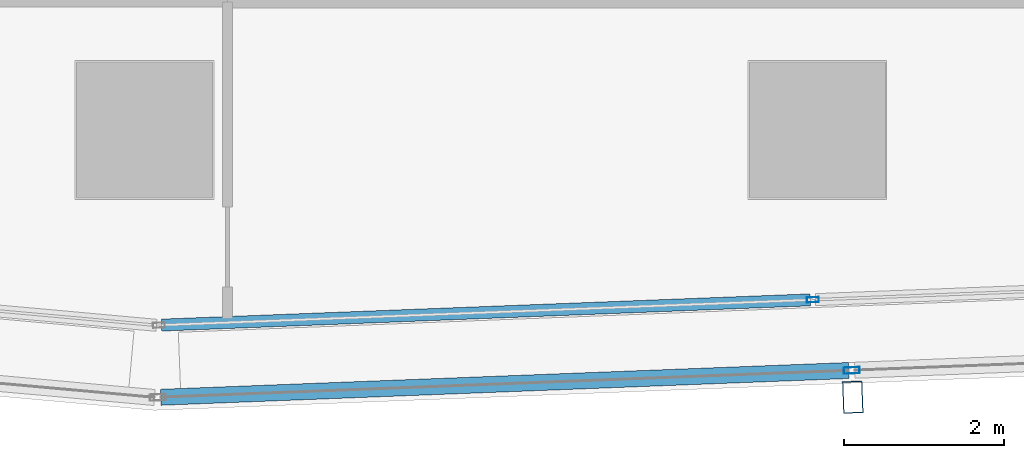
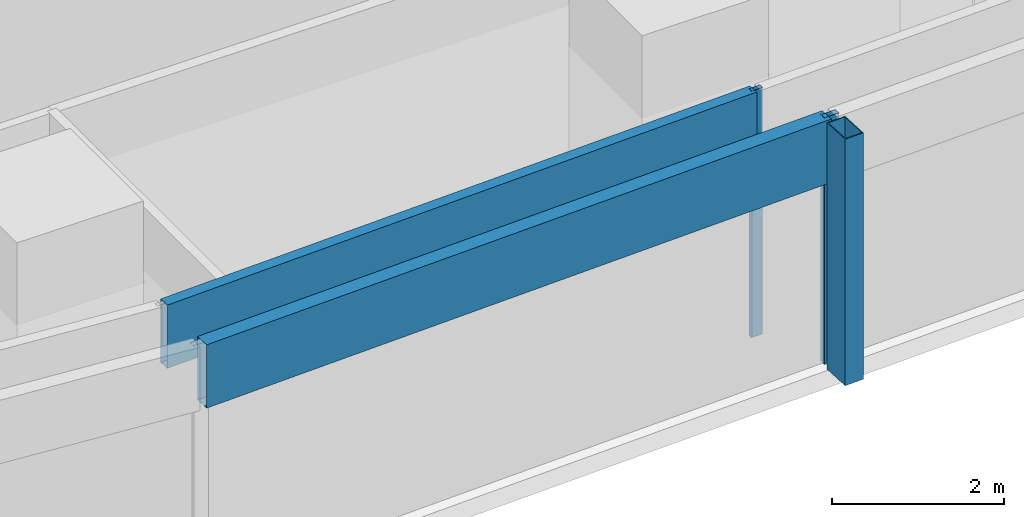
# One storey, part 6 of 40: 5 members, 2 elements without a shape of their own.
"""IFC4 building model written with IfcOpenShell, lengths in metres."""

from ifc_helpers import new_model, si_unit, direction, frame, origin, origin_2d, place, context, subcontext, project, spatial, hollow_rectangle, extrude, material, material_profile, profile_set, type_object, element, aggregate, save


model = new_model("IFC4")

# Units and contexts
model_context = context("Model", 3, precision=1e-05, world=origin(), true_north=direction((0.0, 1.0)))
body_context = subcontext(model_context, "Body", "Model", "MODEL_VIEW")
ifc_project = project(units=[si_unit("LENGTHUNIT", "METRE"), si_unit("AREAUNIT", "SQUARE_METRE"), si_unit("VOLUMEUNIT", "CUBIC_METRE"), si_unit("PLANEANGLEUNIT", "RADIAN"), si_unit("MASSUNIT", "GRAM", prefix="KILO")], contexts=[model_context])

# Site, building, storey
site_placement = place(None, origin())
site = spatial("IfcSite", under=ifc_project, at=site_placement, CompositionType="ELEMENT")
building_placement = place(site_placement, origin())
building = spatial("IfcBuilding", under=site, at=building_placement, Name="Rekha Terrace Tower", CompositionType="ELEMENT")
storey_placement = place(building_placement, frame((0.0, 0.0, 102.800048828125)))
storey = spatial("IfcBuildingStorey", under=building, at=storey_placement, Name="L25", CompositionType="ELEMENT", Elevation=102.800048828125)

# Curtain wall, member
ifc_material_1 = material(Name="Aluminium framing", Category="aluminium")
curtain_wall_type_1 = type_object("IfcCurtainWallType", Name="CW2 double skin outer glazing", PredefinedType="USERDEFINED", material=ifc_material_1)
curtain_wall_1_placement = place(storey_placement, origin())
curtain_wall_1 = element("IfcCurtainWall", 1, at=curtain_wall_1_placement, inside=storey, type_object=curtain_wall_type_1, Name="CW2 double skin outer glazing", ObjectType="DOUBLE SKIN OUTER GLAZING", PredefinedType="USERDEFINED")
ifc_material_2 = material(Name="Steel S355 with fluorocarbon finish", Category="steel")
ifc_material_profile_1 = material_profile(ifc_material_2, hollow_rectangle(XDim=0.25, YDim=0.39990234375, WallThickness=0.012451171875, at=origin_2d()), Name="RHS400x250x12.5")
ifc_profile_set_1 = profile_set([ifc_material_profile_1], Name="Steel S355 with fluorocarbon finish")
member_type_1 = type_object("IfcMemberType", Name="BL1 facade blade RHS 400 x 250", PredefinedType="USERDEFINED", material=ifc_profile_set_1)
member_1_placement = place(storey_placement, frame((34.042236328125, 13.46435546875, 0.0), z_axis=(0.0, 0.0, 1.0), x_axis=(0.999243494356, 0.038890088543, 0.0)))
member_1 = element("IfcMember", 2, at=member_1_placement, type_object=member_type_1, Name="Facade blade", ObjectType="FACADE BLADE", PredefinedType="USERDEFINED", context=body_context, shape_type="SweptSolid", body=[
    extrude(hollow_rectangle(XDim=0.25, YDim=0.39990234375, WallThickness=0.012451171875, at=origin_2d()), origin(), (0.0, 0.0, 1.0), 3.5),
])

# Curtain wall, members
curtain_wall_type_2 = type_object("IfcCurtainWallType", Name="CW1 double skin inner glazing", PredefinedType="USERDEFINED", material=ifc_material_1)
curtain_wall_2_placement = place(storey_placement, origin())
curtain_wall_2 = element("IfcCurtainWall", 3, at=curtain_wall_2_placement, inside=storey, type_object=curtain_wall_type_2, Name="CW1 double skin inner glazing", ObjectType="DOUBLE SKIN INNER GLAZING", PredefinedType="USERDEFINED")
ifc_material_3 = material(Name="Aluminium mullion section", Category="aluminium")
ifc_material_profile_2 = material_profile(ifc_material_3, hollow_rectangle(XDim=0.06494140625, YDim=0.14990234375, WallThickness=0.00390625, at=origin_2d()), Name="AL RHS 65x150")
ifc_profile_set_2 = profile_set([ifc_material_profile_2], Name="Aluminium mullion section")
member_type_2 = type_object("IfcMemberType", Name="CW1 mullion RHS 65 x 150", PredefinedType="MULLION", material=ifc_profile_set_2)
member_2_placement = place(storey_placement, frame((33.5439453125, 14.680908203125, 0.0), z_axis=(0.0, 0.0, 1.0), x_axis=(-0.038889971345, 0.999243498917, 0.0)))
member_2 = element("IfcMember", 4, at=member_2_placement, type_object=member_type_2, Name="CW1 mullion 2", PredefinedType="MULLION", context=body_context, shape_type="SweptSolid", body=[
    extrude(hollow_rectangle(XDim=0.06494140625, YDim=0.14990234375, WallThickness=0.00390625, at=origin_2d()), origin(), (0.0, 0.0, 1.0), 3.5),
])
ifc_material_4 = material(Name="Insulated aluminium spandrel box", Category="aluminium")
ifc_material_profile_3 = material_profile(ifc_material_4, hollow_rectangle(XDim=0.14990234375, YDim=0.89990234375, WallThickness=0.0029296875, at=origin_2d()), Name="AL SPANDREL BOX 150x900")
ifc_profile_set_3 = profile_set([ifc_material_profile_3], Name="Insulated aluminium spandrel box")
member_type_3 = type_object("IfcMemberType", Name="CW1 spandrel transom 150 x 900", PredefinedType="USERDEFINED", material=ifc_profile_set_3)
member_3_placement = place(storey_placement, frame((25.412353515625, 14.364501953125, 3.050048828125), z_axis=(0.999243630757, 0.038886583689, 0.0), x_axis=(-0.038886583689, 0.999243630757, 0.0)))
member_3 = element("IfcMember", 5, at=member_3_placement, type_object=member_type_3, Name="CW1 spandrel transom 1", ObjectType="TRANSOM", PredefinedType="USERDEFINED", context=body_context, shape_type="SweptSolid", body=[
    extrude(hollow_rectangle(XDim=0.14990234375, YDim=0.89990234375, WallThickness=0.0029296875, at=origin_2d()), origin(), (0.0, 0.0, 1.0), 8.105224609375),
])
aggregate(curtain_wall_2, [member_2, member_3])

# Member
ifc_material_profile_4 = material_profile(ifc_material_3, hollow_rectangle(XDim=0.080078125, YDim=0.199951171875, WallThickness=0.00390625, at=origin_2d()), Name="AL RHS 80x200")
ifc_profile_set_4 = profile_set([ifc_material_profile_4], Name="Aluminium mullion section")
member_type_4 = type_object("IfcMemberType", Name="CW2 mullion RHS 80 x 200", PredefinedType="MULLION", material=ifc_profile_set_4)
member_4_placement = place(storey_placement, frame((34.029052734375, 13.799072265625, 0.0), z_axis=(0.0, 0.0, 1.0), x_axis=(-0.038889971345, 0.999243498917, 0.0)))
member_4 = element("IfcMember", 6, at=member_4_placement, type_object=member_type_4, Name="CW2 mullion 2", PredefinedType="MULLION", context=body_context, shape_type="SweptSolid", body=[
    extrude(hollow_rectangle(XDim=0.080078125, YDim=0.199951171875, WallThickness=0.00390625, at=origin_2d()), origin(), (0.0, 0.0, 1.0), 3.5),
])

ifc_material_profile_5 = material_profile(ifc_material_4, hollow_rectangle(XDim=0.199951171875, YDim=0.89990234375, WallThickness=0.0029296875, at=origin_2d()), Name="AL SPANDREL BOX 200x900")
ifc_profile_set_5 = profile_set([ifc_material_profile_5], Name="Insulated aluminium spandrel box")
member_type_5 = type_object("IfcMemberType", Name="CW2 spandrel transom 200 x 900", PredefinedType="USERDEFINED", material=ifc_profile_set_5)
member_5_placement = place(storey_placement, frame((25.404052734375, 13.46337890625, 3.050048828125), z_axis=(0.999243058466, 0.038901286707, 0.0), x_axis=(-0.038901286707, 0.999243058466, 0.0)))
member_5 = element("IfcMember", 7, at=member_5_placement, type_object=member_type_5, Name="CW2 spandrel transom 1", ObjectType="TRANSOM", PredefinedType="USERDEFINED", context=body_context, shape_type="SweptSolid", body=[
    extrude(hollow_rectangle(XDim=0.199951171875, YDim=0.89990234375, WallThickness=0.0029296875, at=origin_2d()), origin(), (0.0, 0.0, 1.0), 8.591796875),
])

aggregate(curtain_wall_1, [member_4, member_5, member_1])

save(model, "model.ifc")
